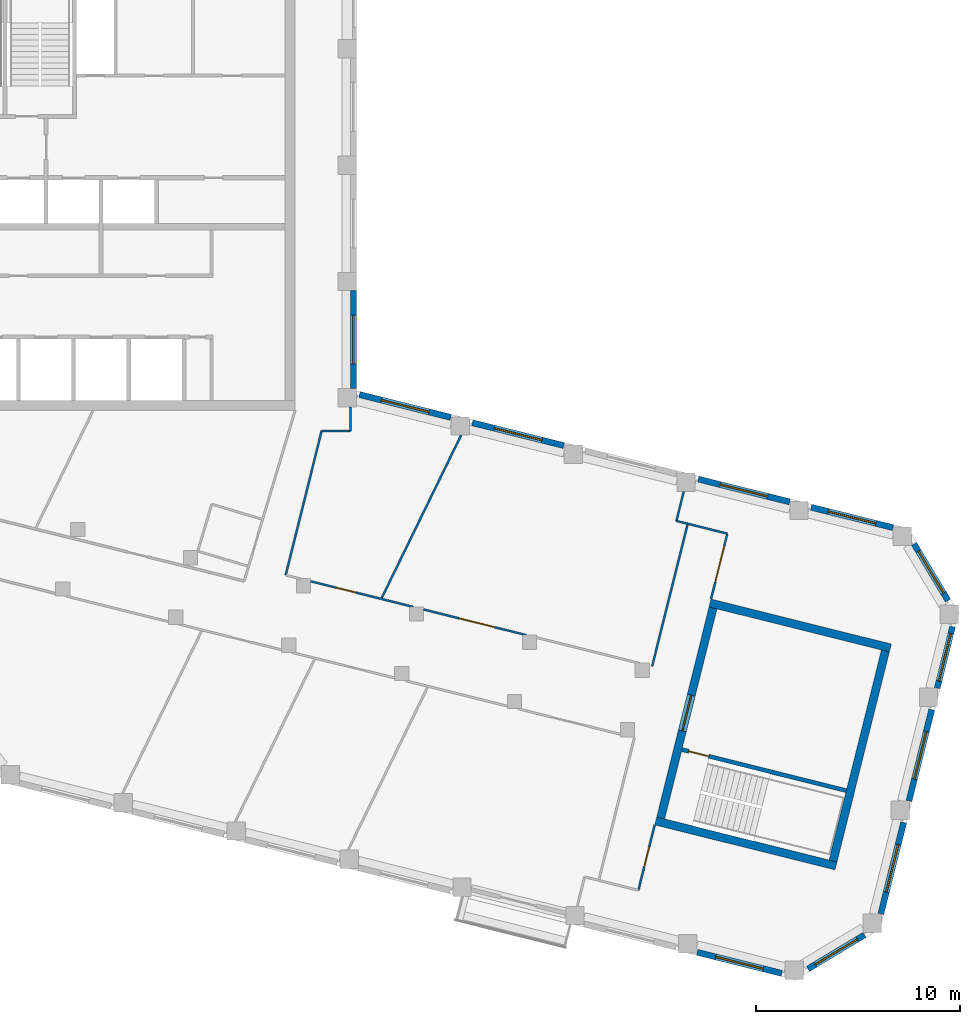
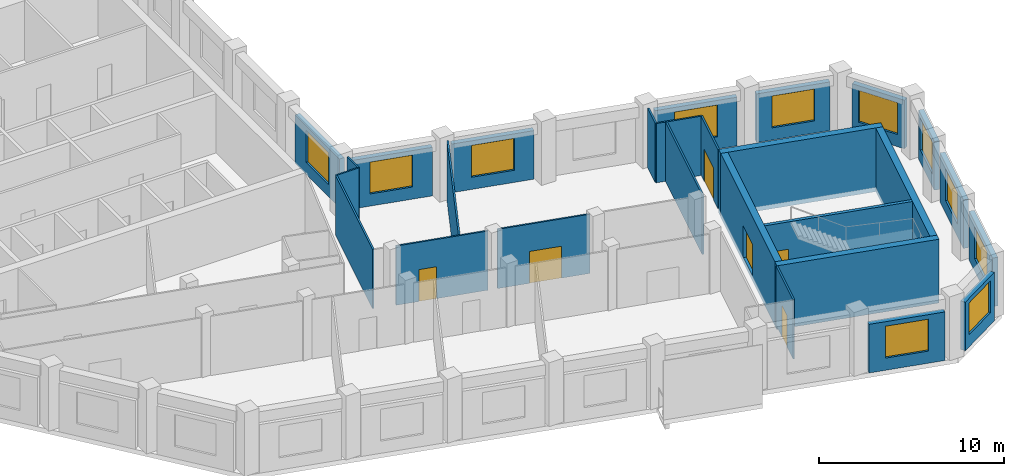
# One storey, part 4 of 8: 28 walls, 11 windows, 6 doors, 17 openings.
"""IFC4 building model written with IfcOpenShell, lengths in metres."""

from ifc_helpers import new_model, si_unit, direction, frame, frame_2d, origin, place, context, subcontext, project, spatial, rectangle, extrude, material, layer, layer_set, type_object, element, fill, save


model = new_model("IFC4")

# Units and contexts
model_context = context("Model", 3, precision=1e-05, world=origin(), true_north=direction((0.0, 1.0)))
body_context = subcontext(model_context, "Body", "Model", "MODEL_VIEW")
ifc_project = project(units=[si_unit("LENGTHUNIT", "METRE"), si_unit("AREAUNIT", "SQUARE_METRE"), si_unit("VOLUMEUNIT", "CUBIC_METRE"), si_unit("PLANEANGLEUNIT", "RADIAN"), si_unit("MASSUNIT", "GRAM", prefix="KILO")], contexts=[model_context])

# Site, building, storey
site_placement = place(None, origin())
site = spatial("IfcSite", under=ifc_project, at=site_placement, CompositionType="ELEMENT")
building_placement = place(site_placement, origin())
building = spatial("IfcBuilding", under=site, at=building_placement, Name="Meshkara Civic Tower", CompositionType="ELEMENT")
storey_placement = place(building_placement, frame((0.0, 0.0, 375.0)))
storey = spatial("IfcBuildingStorey", under=building, at=storey_placement, Name="L86", CompositionType="ELEMENT", Elevation=375.0)

# Wall
ifc_material_1 = material(Name="Corridor wall 100")
ifc_layer_1 = layer(ifc_material_1, 0.10009765625)
ifc_layer_set_1 = layer_set([ifc_layer_1], Name="Corridor wall 100")
wall_type_1 = type_object("IfcWallType", Name="Corridor wall 100", PredefinedType="PARTITIONING", material=ifc_layer_set_1)
wall_1_placement = place(storey_placement, frame((30.3359375, 6.0400390625, 0.0), z_axis=(0.0, 0.0, 1.0), x_axis=(0.2420145387, 0.970272623059, 0.0)))
element("IfcWall", 1, at=wall_1_placement, inside=storey, type_object=wall_type_1, Name="L86-W021", PredefinedType="PARTITIONING", context=body_context, shape_type="SweptSolid", body=[
    extrude(rectangle(XDim=7.2763671875, YDim=0.10009765625, at=frame_2d((3.63818359375, 0.0))), origin(), (0.0, 0.0, 1.0), 3.89990234375),
])

# Wall, opening, door
wall_2_placement = place(storey_placement, frame((31.56103515625, 5.735107421875, 0.0), z_axis=(0.0, 0.0, 1.0), x_axis=(0.970267382462, -0.242035548071, 0.0)))
wall_2 = element("IfcWall", 2, at=wall_2_placement, inside=storey, type_object=wall_type_1, Name="L86-W025", PredefinedType="PARTITIONING", context=body_context, shape_type="SweptSolid", body=[
    extrude(rectangle(XDim=5.169677734375, YDim=0.10009765625, at=frame_2d((2.5849609375, 0.0))), origin(), (0.0, 0.0, 1.0), 3.89990234375),
])
opening_1_placement = place(wall_2_placement, frame((1.280029296875, 0.0, 0.0)))
opening_1 = element("IfcOpeningElement", 3, at=opening_1_placement, cuts=wall_2, Name="Opening L86-D004", PredefinedType="OPENING", context=body_context, shape_type="SweptSolid", body=[
    extrude(rectangle(XDim=1.0, YDim=2.10009765625, at=frame_2d((0.5, 1.050048828125))), frame((0.0, 0.06005859375, 0.0), z_axis=(0.0, -1.0, 0.0), x_axis=(1.0, 0.0, 0.0)), (0.0, 0.0, 1.0), 0.1201171875),
])
ifc_material_2 = material(Name="Door 1000 x 2100")
door_type_1 = type_object("IfcDoorType", Name="Door 1000 x 2100", OperationType="SINGLE_SWING_LEFT", PredefinedType="DOOR", material=ifc_material_2)
door_1_placement = place(opening_1_placement, origin())
door_1 = element("IfcDoor", 4, at=door_1_placement, inside=storey, type_object=door_type_1, Name="L86-D004", OperationType="SINGLE_SWING_LEFT", OverallHeight=2.10009765625, OverallWidth=1.0, PredefinedType="DOOR", context=body_context, shape_type="SweptSolid", body=[
    extrude(rectangle(XDim=1.0, YDim=2.10009765625, at=frame_2d((0.5, 1.050048828125))), frame((0.0, 0.02490234375, 0.0), z_axis=(0.0, -1.0, 0.0), x_axis=(1.0, 0.0, 0.0)), (0.0, 0.0, 1.0), 0.050048828125),
])
fill(opening_1, door_1)

# Walls
wall_3_placement = place(storey_placement, frame((32.096923828125, 13.10009765625, 0.0), z_axis=(0.0, 0.0, 1.0), x_axis=(1.0, 0.0, 0.0)))
element("IfcWall", 5, at=wall_3_placement, inside=storey, type_object=wall_type_1, Name="L86-W026", PredefinedType="PARTITIONING", context=body_context, shape_type="SweptSolid", body=[
    extrude(rectangle(XDim=1.403076171875, YDim=0.10009765625, at=frame_2d((0.70166015625, 0.0))), origin(), (0.0, 0.0, 1.0), 3.89990234375),
])
wall_4_placement = place(storey_placement, frame((33.5, 13.10009765625, 0.0), z_axis=(0.0, 0.0, 1.0), x_axis=(0.0, 1.0, 0.0)))
element("IfcWall", 6, at=wall_4_placement, inside=storey, type_object=wall_type_1, Name="L86-W027", PredefinedType="PARTITIONING", context=body_context, shape_type="SweptSolid", body=[
    extrude(rectangle(XDim=1.1689453125, YDim=0.10009765625, at=frame_2d((0.58447265625, 0.0))), origin(), (0.0, 0.0, 1.0), 3.89990234375),
])

# Wall, opening, door
wall_5_placement = place(storey_placement, frame((42.10888671875, 3.10498046875, 0.0), z_axis=(0.0, 0.0, 1.0), x_axis=(-0.970289531541, 0.241946739969, 0.0)))
wall_5 = element("IfcWall", 7, at=wall_5_placement, inside=storey, type_object=wall_type_1, Name="L86-W030", PredefinedType="PARTITIONING", context=body_context, shape_type="SweptSolid", body=[
    extrude(rectangle(XDim=5.17041015625, YDim=0.10009765625, at=frame_2d((2.585205078125, 0.0))), origin(), (0.0, 0.0, 1.0), 3.89990234375),
])
opening_2_placement = place(wall_5_placement, frame((1.580078125, 0.0, 0.0)))
opening_2 = element("IfcOpeningElement", 8, at=opening_2_placement, cuts=wall_5, Name="Opening L86-D006", PredefinedType="OPENING", context=body_context, shape_type="SweptSolid", body=[
    extrude(rectangle(XDim=1.800048828125, YDim=2.10009765625, at=frame_2d((0.89990234375, 1.050048828125))), frame((0.0, 0.06005859375, 0.0), z_axis=(0.0, -1.0, 0.0), x_axis=(1.0, 0.0, 0.0)), (0.0, 0.0, 1.0), 0.1201171875),
])
ifc_material_3 = material(Name="Door pair 1800 x 2100")
door_type_2 = type_object("IfcDoorType", Name="Door pair 1800 x 2100", OperationType="SINGLE_SWING_LEFT", PredefinedType="DOOR", material=ifc_material_3)
door_2_placement = place(opening_2_placement, origin())
door_2 = element("IfcDoor", 9, at=door_2_placement, inside=storey, type_object=door_type_2, Name="L86-D006", OperationType="DOUBLE_DOOR_SINGLE_SWING", OverallHeight=2.10009765625, OverallWidth=1.800048828125, PredefinedType="DOOR", context=body_context, shape_type="SweptSolid", body=[
    extrude(rectangle(XDim=1.800048828125, YDim=2.10009765625, at=frame_2d((0.89990234375, 1.050048828125))), frame((0.0, 0.02490234375, 0.0), z_axis=(0.0, -1.0, 0.0), x_axis=(1.0, 0.0, 0.0)), (0.0, 0.0, 1.0), 0.050048828125),
])
fill(opening_2, door_2)

wall_6_placement = place(storey_placement, frame((47.611083984375, -9.39697265625, 0.0), z_axis=(0.0, 0.0, 1.0), x_axis=(0.241786986316, 0.970329352977, 0.0)))
wall_6 = element("IfcWall", 10, at=wall_6_placement, inside=storey, type_object=wall_type_1, Name="L86-W033", PredefinedType="PARTITIONING", context=body_context, shape_type="SweptSolid", body=[
    extrude(rectangle(XDim=3.2998046875, YDim=0.10009765625, at=frame_2d((1.64990234375, 0.0))), origin(), (0.0, 0.0, 1.0), 3.89990234375),
])
opening_3_placement = place(wall_6_placement, frame((1.179931640625, 0.0, 0.0)))
opening_3 = element("IfcOpeningElement", 11, at=opening_3_placement, cuts=wall_6, Name="Opening L86-D001", PredefinedType="OPENING", context=body_context, shape_type="SweptSolid", body=[
    extrude(rectangle(XDim=1.0, YDim=2.10009765625, at=frame_2d((0.5, 1.050048828125))), frame((0.0, 0.06005859375, 0.0), z_axis=(0.0, -1.0, 0.0), x_axis=(1.0, 0.0, 0.0)), (0.0, 0.0, 1.0), 0.1201171875),
])
door_3_placement = place(opening_3_placement, origin())
door_3 = element("IfcDoor", 12, at=door_3_placement, inside=storey, type_object=door_type_1, Name="L86-D001", OperationType="SINGLE_SWING_LEFT", OverallHeight=2.10009765625, OverallWidth=1.0, PredefinedType="DOOR", context=body_context, shape_type="SweptSolid", body=[
    extrude(rectangle(XDim=1.0, YDim=2.10009765625, at=frame_2d((0.5, 1.050048828125))), frame((0.0, 0.02490234375, 0.0), z_axis=(0.0, -1.0, 0.0), x_axis=(1.0, 0.0, 0.0)), (0.0, 0.0, 1.0), 0.050048828125),
])
fill(opening_3, door_3)

# Wall
wall_7_placement = place(storey_placement, frame((50.02490234375, 8.552001953125, 0.0), z_axis=(0.0, 0.0, 1.0), x_axis=(-0.241937193493, -0.970291911955, 0.0)))
element("IfcWall", 13, at=wall_7_placement, inside=storey, type_object=wall_type_1, Name="L86-W035", PredefinedType="PARTITIONING", context=body_context, shape_type="SweptSolid", body=[
    extrude(rectangle(XDim=7.199951171875, YDim=0.10009765625, at=frame_2d((3.60009765625, 0.0))), origin(), (0.0, 0.0, 1.0), 3.89990234375),
])

# Wall, opening, door
wall_8_placement = place(storey_placement, frame((51.1669921875, 4.865966796875, 0.0), z_axis=(0.0, 0.0, 1.0), x_axis=(0.241839284064, 0.97031631991, 0.0)))
wall_8 = element("IfcWall", 14, at=wall_8_placement, inside=storey, type_object=wall_type_1, Name="L86-W036", PredefinedType="PARTITIONING", context=body_context, shape_type="SweptSolid", body=[
    extrude(rectangle(XDim=3.300048828125, YDim=0.10009765625, at=frame_2d((1.64990234375, 0.0))), origin(), (0.0, 0.0, 1.0), 3.89990234375),
])
opening_4_placement = place(wall_8_placement, frame((0.8798828125, 0.0, 0.0)))
opening_4 = element("IfcOpeningElement", 15, at=opening_4_placement, cuts=wall_8, Name="Opening L86-D011", PredefinedType="OPENING", context=body_context, shape_type="SweptSolid", body=[
    extrude(rectangle(XDim=1.800048828125, YDim=2.10009765625, at=frame_2d((0.89990234375, 1.050048828125))), frame((0.0, 0.06005859375, 0.0), z_axis=(0.0, -1.0, 0.0), x_axis=(1.0, 0.0, 0.0)), (0.0, 0.0, 1.0), 0.1201171875),
])
door_4_placement = place(opening_4_placement, origin())
door_4 = element("IfcDoor", 16, at=door_4_placement, inside=storey, type_object=door_type_2, Name="L86-D011", OperationType="DOUBLE_DOOR_SINGLE_SWING", OverallHeight=2.10009765625, OverallWidth=1.800048828125, PredefinedType="DOOR", context=body_context, shape_type="SweptSolid", body=[
    extrude(rectangle(XDim=1.800048828125, YDim=2.10009765625, at=frame_2d((0.89990234375, 1.050048828125))), frame((0.0, 0.02490234375, 0.0), z_axis=(0.0, -1.0, 0.0), x_axis=(1.0, 0.0, 0.0)), (0.0, 0.0, 1.0), 0.050048828125),
])
fill(opening_4, door_4)

# Wall
wall_9_placement = place(storey_placement, frame((51.965087890625, 8.068115234375, 0.0), z_axis=(0.0, 0.0, 1.0), x_axis=(-0.970278804284, 0.241989755894, 0.0)))
element("IfcWall", 17, at=wall_9_placement, inside=storey, type_object=wall_type_1, Name="L86-W037", PredefinedType="PARTITIONING", context=body_context, shape_type="SweptSolid", body=[
    extrude(rectangle(XDim=1.99951171875, YDim=0.10009765625, at=frame_2d((0.999755859375, 0.0))), origin(), (0.0, 0.0, 1.0), 3.89990234375),
])

# Wall, opening, window
ifc_material_4 = material(Name="Insulated infill panel with bronze anodised aluminium cladding", Category="aluminium")
ifc_layer_2 = layer(ifc_material_4, 0.300048828125)
ifc_layer_set_2 = layer_set([ifc_layer_2], Name="EXTERNAL INFILL WALL 300")
wall_type_2 = type_object("IfcWallType", Name="EXTERNAL INFILL WALL 300", PredefinedType="SOLIDWALL", material=ifc_layer_set_2)
wall_10_placement = place(storey_placement, frame((60.075927734375, 8.364990234375, 0.0), z_axis=(0.0, 0.0, 1.0), x_axis=(-0.970323340708, 0.24181111322, 0.0)))
wall_10 = element("IfcWall", 18, at=wall_10_placement, inside=storey, type_object=wall_type_2, Name="External wall", PredefinedType="SOLIDWALL", context=body_context, shape_type="SweptSolid", body=[
    extrude(rectangle(XDim=4.123291015625, YDim=0.300048828125, at=frame_2d((2.0615234375, 0.0))), origin(), (0.0, 0.0, 1.0), 3.199951171875),
])
opening_5_placement = place(wall_10_placement, frame((0.862060546875, 0.0, 0.800048828125)))
opening_5 = element("IfcOpeningElement", 19, at=opening_5_placement, cuts=wall_10, Name="Opening W7", PredefinedType="OPENING", context=body_context, shape_type="SweptSolid", body=[
    extrude(rectangle(XDim=2.39990234375, YDim=2.10009765625, at=frame_2d((1.199951171875, 1.050048828125))), frame((0.0, 0.159912109375, 0.0), z_axis=(0.0, -1.0, 0.0), x_axis=(1.0, 0.0, 0.0)), (0.0, 0.0, 1.0), 0.320068359375),
])
ifc_material_5 = material(Name="Tinted double glazing", Category="glass")
window_type = type_object("IfcWindowType", Name="WINDOW 2400x2100", PartitioningType="DOUBLE_PANEL_VERTICAL", PredefinedType="WINDOW", material=ifc_material_5)
window_1_placement = place(opening_5_placement, origin())
window_1 = element("IfcWindow", 20, at=window_1_placement, inside=storey, type_object=window_type, Name="Window", OverallHeight=2.10009765625, OverallWidth=2.39990234375, PartitioningType="DOUBLE_PANEL_VERTICAL", PredefinedType="WINDOW", context=body_context, shape_type="SweptSolid", body=[
    extrude(rectangle(XDim=2.39990234375, YDim=2.10009765625, at=frame_2d((1.199951171875, 1.050048828125))), frame((0.0, 0.030029296875, 0.0), z_axis=(0.0, -1.0, 0.0), x_axis=(1.0, 0.0, 0.0)), (0.0, 0.0, 1.0), 0.06005859375),
])
fill(opening_5, window_1)

wall_11_placement = place(storey_placement, frame((55.01611328125, 9.6259765625, 0.0), z_axis=(0.0, 0.0, 1.0), x_axis=(-0.970298093093, 0.241912402618, 0.0)))
wall_11 = element("IfcWall", 21, at=wall_11_placement, inside=storey, type_object=wall_type_2, Name="External wall", PredefinedType="SOLIDWALL", context=body_context, shape_type="SweptSolid", body=[
    extrude(rectangle(XDim=4.609130859375, YDim=0.300048828125, at=frame_2d((2.3046875, 0.0))), origin(), (0.0, 0.0, 1.0), 3.199951171875),
])
opening_6_placement = place(wall_11_placement, frame((1.10498046875, 0.0, 0.800048828125)))
opening_6 = element("IfcOpeningElement", 22, at=opening_6_placement, cuts=wall_11, Name="Opening W7", PredefinedType="OPENING", context=body_context, shape_type="SweptSolid", body=[
    extrude(rectangle(XDim=2.39990234375, YDim=2.10009765625, at=frame_2d((1.199951171875, 1.050048828125))), frame((0.0, 0.159912109375, 0.0), z_axis=(0.0, -1.0, 0.0), x_axis=(1.0, 0.0, 0.0)), (0.0, 0.0, 1.0), 0.320068359375),
])
window_2_placement = place(opening_6_placement, origin())
window_2 = element("IfcWindow", 23, at=window_2_placement, inside=storey, type_object=window_type, Name="Window", OverallHeight=2.10009765625, OverallWidth=2.39990234375, PartitioningType="DOUBLE_PANEL_VERTICAL", PredefinedType="WINDOW", context=body_context, shape_type="SweptSolid", body=[
    extrude(rectangle(XDim=2.39990234375, YDim=2.10009765625, at=frame_2d((1.199951171875, 1.050048828125))), frame((0.0, 0.030029296875, 0.0), z_axis=(0.0, -1.0, 0.0), x_axis=(1.0, 0.0, 0.0)), (0.0, 0.0, 1.0), 0.06005859375),
])
fill(opening_6, window_2)

wall_12_placement = place(storey_placement, frame((43.9541015625, 12.384033203125, 0.0), z_axis=(0.0, 0.0, 1.0), x_axis=(-0.970285689791, 0.241962146187, 0.0)))
wall_12 = element("IfcWall", 24, at=wall_12_placement, inside=storey, type_object=wall_type_2, Name="External wall", PredefinedType="SOLIDWALL", context=body_context, shape_type="SweptSolid", body=[
    extrude(rectangle(XDim=4.608154296875, YDim=0.300048828125, at=frame_2d((2.30419921875, 0.0))), origin(), (0.0, 0.0, 1.0), 3.199951171875),
])
opening_7_placement = place(wall_12_placement, frame((1.10400390625, 0.0, 0.800048828125)))
opening_7 = element("IfcOpeningElement", 25, at=opening_7_placement, cuts=wall_12, Name="Opening W7", PredefinedType="OPENING", context=body_context, shape_type="SweptSolid", body=[
    extrude(rectangle(XDim=2.39990234375, YDim=2.10009765625, at=frame_2d((1.199951171875, 1.050048828125))), frame((0.0, 0.159912109375, 0.0), z_axis=(0.0, -1.0, 0.0), x_axis=(1.0, 0.0, 0.0)), (0.0, 0.0, 1.0), 0.320068359375),
])
window_3_placement = place(opening_7_placement, origin())
window_3 = element("IfcWindow", 26, at=window_3_placement, inside=storey, type_object=window_type, Name="Window", OverallHeight=2.10009765625, OverallWidth=2.39990234375, PartitioningType="DOUBLE_PANEL_VERTICAL", PredefinedType="WINDOW", context=body_context, shape_type="SweptSolid", body=[
    extrude(rectangle(XDim=2.39990234375, YDim=2.10009765625, at=frame_2d((1.199951171875, 1.050048828125))), frame((0.0, 0.030029296875, 0.0), z_axis=(0.0, -1.0, 0.0), x_axis=(1.0, 0.0, 0.0)), (0.0, 0.0, 1.0), 0.06005859375),
])
fill(opening_7, window_3)

wall_13_placement = place(storey_placement, frame((38.424072265625, 13.762939453125, 0.0), z_axis=(0.0, 0.0, 1.0), x_axis=(-0.970248341479, 0.24211186641, 0.0)))
wall_13 = element("IfcWall", 27, at=wall_13_placement, inside=storey, type_object=wall_type_2, Name="External wall", PredefinedType="SOLIDWALL", context=body_context, shape_type="SweptSolid", body=[
    extrude(rectangle(XDim=4.609375, YDim=0.300048828125, at=frame_2d((2.3046875, 0.0))), origin(), (0.0, 0.0, 1.0), 3.199951171875),
])
opening_8_placement = place(wall_13_placement, frame((1.10498046875, 0.0, 0.800048828125)))
opening_8 = element("IfcOpeningElement", 28, at=opening_8_placement, cuts=wall_13, Name="Opening W7", PredefinedType="OPENING", context=body_context, shape_type="SweptSolid", body=[
    extrude(rectangle(XDim=2.39990234375, YDim=2.10009765625, at=frame_2d((1.199951171875, 1.050048828125))), frame((0.0, 0.159912109375, 0.0), z_axis=(0.0, -1.0, 0.0), x_axis=(1.0, 0.0, 0.0)), (0.0, 0.0, 1.0), 0.320068359375),
])
window_4_placement = place(opening_8_placement, origin())
window_4 = element("IfcWindow", 29, at=window_4_placement, inside=storey, type_object=window_type, Name="Window", OverallHeight=2.10009765625, OverallWidth=2.39990234375, PartitioningType="DOUBLE_PANEL_VERTICAL", PredefinedType="WINDOW", context=body_context, shape_type="SweptSolid", body=[
    extrude(rectangle(XDim=2.39990234375, YDim=2.10009765625, at=frame_2d((1.199951171875, 1.050048828125))), frame((0.0, 0.030029296875, 0.0), z_axis=(0.0, -1.0, 0.0), x_axis=(1.0, 0.0, 0.0)), (0.0, 0.0, 1.0), 0.06005859375),
])
fill(opening_8, window_4)

wall_14_placement = place(storey_placement, frame((33.64990234375, 15.1689453125, 0.0), z_axis=(0.0, 0.0, 1.0), x_axis=(0.0, 1.0, 0.0)))
wall_14 = element("IfcWall", 30, at=wall_14_placement, inside=storey, type_object=wall_type_2, Name="External wall", PredefinedType="SOLIDWALL", context=body_context, shape_type="SweptSolid", body=[
    extrude(rectangle(XDim=4.800048828125, YDim=0.300048828125, at=frame_2d((2.39990234375, 0.0))), origin(), (0.0, 0.0, 1.0), 3.199951171875),
])
opening_9_placement = place(wall_14_placement, frame((1.199951171875, 0.0, 0.800048828125)))
opening_9 = element("IfcOpeningElement", 31, at=opening_9_placement, cuts=wall_14, Name="Opening W7", PredefinedType="OPENING", context=body_context, shape_type="SweptSolid", body=[
    extrude(rectangle(XDim=2.39990234375, YDim=2.10009765625, at=frame_2d((1.199951171875, 1.050048828125))), frame((0.0, 0.159912109375, 0.0), z_axis=(0.0, -1.0, 0.0), x_axis=(1.0, 0.0, 0.0)), (0.0, 0.0, 1.0), 0.320068359375),
])
window_5_placement = place(opening_9_placement, origin())
window_5 = element("IfcWindow", 32, at=window_5_placement, inside=storey, type_object=window_type, Name="Window", OverallHeight=2.10009765625, OverallWidth=2.39990234375, PartitioningType="DOUBLE_PANEL_VERTICAL", PredefinedType="WINDOW", context=body_context, shape_type="SweptSolid", body=[
    extrude(rectangle(XDim=2.39990234375, YDim=2.10009765625, at=frame_2d((1.199951171875, 1.050048828125))), frame((0.0, 0.030029296875, 0.0), z_axis=(0.0, -1.0, 0.0), x_axis=(1.0, 0.0, 0.0)), (0.0, 0.0, 1.0), 0.06005859375),
])
fill(opening_9, window_5)

wall_15_placement = place(storey_placement, frame((50.491943359375, -12.43505859375, 0.0), z_axis=(0.0, 0.0, 1.0), x_axis=(0.970323940244, -0.241808707429, 0.0)))
wall_15 = element("IfcWall", 33, at=wall_15_placement, inside=storey, type_object=wall_type_2, Name="External wall", PredefinedType="SOLIDWALL", context=body_context, shape_type="SweptSolid", body=[
    extrude(rectangle(XDim=4.267822265625, YDim=0.300048828125, at=frame_2d((2.1337890625, 0.0))), origin(), (0.0, 0.0, 1.0), 3.199951171875),
])
opening_10_placement = place(wall_15_placement, frame((0.93408203125, 0.0, 0.800048828125)))
opening_10 = element("IfcOpeningElement", 34, at=opening_10_placement, cuts=wall_15, Name="Opening W7", PredefinedType="OPENING", context=body_context, shape_type="SweptSolid", body=[
    extrude(rectangle(XDim=2.39990234375, YDim=2.10009765625, at=frame_2d((1.199951171875, 1.050048828125))), frame((0.0, 0.159912109375, 0.0), z_axis=(0.0, -1.0, 0.0), x_axis=(1.0, 0.0, 0.0)), (0.0, 0.0, 1.0), 0.320068359375),
])
window_6_placement = place(opening_10_placement, origin())
window_6 = element("IfcWindow", 35, at=window_6_placement, inside=storey, type_object=window_type, Name="Window", OverallHeight=2.10009765625, OverallWidth=2.39990234375, PartitioningType="DOUBLE_PANEL_VERTICAL", PredefinedType="WINDOW", context=body_context, shape_type="SweptSolid", body=[
    extrude(rectangle(XDim=2.39990234375, YDim=2.10009765625, at=frame_2d((1.199951171875, 1.050048828125))), frame((0.0, 0.030029296875, 0.0), z_axis=(0.0, -1.0, 0.0), x_axis=(1.0, 0.0, 0.0)), (0.0, 0.0, 1.0), 0.06005859375),
])
fill(opening_10, window_6)

wall_16_placement = place(storey_placement, frame((55.9189453125, -13.2470703125, 0.0), z_axis=(0.0, 0.0, 1.0), x_axis=(0.857239224167, 0.514918355226, 0.0)))
wall_16 = element("IfcWall", 36, at=wall_16_placement, inside=storey, type_object=wall_type_2, Name="External wall", PredefinedType="SOLIDWALL", context=body_context, shape_type="SweptSolid", body=[
    extrude(rectangle(XDim=3.22802734375, YDim=0.300048828125, at=frame_2d((1.614013671875, 0.0))), origin(), (0.0, 0.0, 1.0), 3.199951171875),
])
opening_11_placement = place(wall_16_placement, frame((0.4140625, 0.0, 0.800048828125)))
opening_11 = element("IfcOpeningElement", 37, at=opening_11_placement, cuts=wall_16, Name="Opening W7", PredefinedType="OPENING", context=body_context, shape_type="SweptSolid", body=[
    extrude(rectangle(XDim=2.39990234375, YDim=2.10009765625, at=frame_2d((1.199951171875, 1.050048828125))), frame((0.0, 0.159912109375, 0.0), z_axis=(0.0, -1.0, 0.0), x_axis=(1.0, 0.0, 0.0)), (0.0, 0.0, 1.0), 0.320068359375),
])
window_7_placement = place(opening_11_placement, origin())
window_7 = element("IfcWindow", 38, at=window_7_placement, inside=storey, type_object=window_type, Name="Window", OverallHeight=2.10009765625, OverallWidth=2.39990234375, PartitioningType="DOUBLE_PANEL_VERTICAL", PredefinedType="WINDOW", context=body_context, shape_type="SweptSolid", body=[
    extrude(rectangle(XDim=2.39990234375, YDim=2.10009765625, at=frame_2d((1.199951171875, 1.050048828125))), frame((0.0, 0.030029296875, 0.0), z_axis=(0.0, -1.0, 0.0), x_axis=(1.0, 0.0, 0.0)), (0.0, 0.0, 1.0), 0.06005859375),
])
fill(opening_11, window_7)

wall_17_placement = place(storey_placement, frame((59.485107421875, -10.552001953125, 0.0), z_axis=(0.0, 0.0, 1.0), x_axis=(0.241924836652, 0.970294992984, 0.0)))
wall_17 = element("IfcWall", 39, at=wall_17_placement, inside=storey, type_object=wall_type_2, Name="External wall", PredefinedType="SOLIDWALL", context=body_context, shape_type="SweptSolid", body=[
    extrude(rectangle(XDim=4.60888671875, YDim=0.300048828125, at=frame_2d((2.304443359375, 0.0))), origin(), (0.0, 0.0, 1.0), 3.199951171875),
])
opening_12_placement = place(wall_17_placement, frame((1.10498046875, 0.0, 0.800048828125)))
opening_12 = element("IfcOpeningElement", 40, at=opening_12_placement, cuts=wall_17, Name="Opening W7", PredefinedType="OPENING", context=body_context, shape_type="SweptSolid", body=[
    extrude(rectangle(XDim=2.39990234375, YDim=2.10009765625, at=frame_2d((1.199951171875, 1.050048828125))), frame((0.0, 0.159912109375, 0.0), z_axis=(0.0, -1.0, 0.0), x_axis=(1.0, 0.0, 0.0)), (0.0, 0.0, 1.0), 0.320068359375),
])
window_8_placement = place(opening_12_placement, origin())
window_8 = element("IfcWindow", 41, at=window_8_placement, inside=storey, type_object=window_type, Name="Window", OverallHeight=2.10009765625, OverallWidth=2.39990234375, PartitioningType="DOUBLE_PANEL_VERTICAL", PredefinedType="WINDOW", context=body_context, shape_type="SweptSolid", body=[
    extrude(rectangle(XDim=2.39990234375, YDim=2.10009765625, at=frame_2d((1.199951171875, 1.050048828125))), frame((0.0, 0.030029296875, 0.0), z_axis=(0.0, -1.0, 0.0), x_axis=(1.0, 0.0, 0.0)), (0.0, 0.0, 1.0), 0.06005859375),
])
fill(opening_12, window_8)

wall_18_placement = place(storey_placement, frame((60.864013671875, -5.02099609375, 0.0), z_axis=(0.0, 0.0, 1.0), x_axis=(0.241775045801, 0.97033232824, 0.0)))
wall_18 = element("IfcWall", 42, at=wall_18_placement, inside=storey, type_object=wall_type_2, Name="External wall", PredefinedType="SOLIDWALL", context=body_context, shape_type="SweptSolid", body=[
    extrude(rectangle(XDim=4.607666015625, YDim=0.300048828125, at=frame_2d((2.3037109375, 0.0))), origin(), (0.0, 0.0, 1.0), 3.199951171875),
])
opening_13_placement = place(wall_18_placement, frame((1.10400390625, 0.0, 0.800048828125)))
opening_13 = element("IfcOpeningElement", 43, at=opening_13_placement, cuts=wall_18, Name="Opening W7", PredefinedType="OPENING", context=body_context, shape_type="SweptSolid", body=[
    extrude(rectangle(XDim=2.39990234375, YDim=2.10009765625, at=frame_2d((1.199951171875, 1.050048828125))), frame((0.0, 0.159912109375, 0.0), z_axis=(0.0, -1.0, 0.0), x_axis=(1.0, 0.0, 0.0)), (0.0, 0.0, 1.0), 0.320068359375),
])
window_9_placement = place(opening_13_placement, origin())
window_9 = element("IfcWindow", 44, at=window_9_placement, inside=storey, type_object=window_type, Name="Window", OverallHeight=2.10009765625, OverallWidth=2.39990234375, PartitioningType="DOUBLE_PANEL_VERTICAL", PredefinedType="WINDOW", context=body_context, shape_type="SweptSolid", body=[
    extrude(rectangle(XDim=2.39990234375, YDim=2.10009765625, at=frame_2d((1.199951171875, 1.050048828125))), frame((0.0, 0.030029296875, 0.0), z_axis=(0.0, -1.0, 0.0), x_axis=(1.0, 0.0, 0.0)), (0.0, 0.0, 1.0), 0.06005859375),
])
fill(opening_13, window_9)

wall_19_placement = place(storey_placement, frame((62.241943359375, 0.509033203125, 0.0), z_axis=(0.0, 0.0, 1.0), x_axis=(0.241941811838, 0.970290760383, 0.0)))
wall_19 = element("IfcWall", 45, at=wall_19_placement, inside=storey, type_object=wall_type_2, Name="External wall", PredefinedType="SOLIDWALL", context=body_context, shape_type="SweptSolid", body=[
    extrude(rectangle(XDim=3.095947265625, YDim=0.300048828125, at=frame_2d((1.5478515625, 0.0))), origin(), (0.0, 0.0, 1.0), 3.199951171875),
])
opening_14_placement = place(wall_19_placement, frame((0.347900390625, 0.0, 0.800048828125)))
opening_14 = element("IfcOpeningElement", 46, at=opening_14_placement, cuts=wall_19, Name="Opening W7", PredefinedType="OPENING", context=body_context, shape_type="SweptSolid", body=[
    extrude(rectangle(XDim=2.39990234375, YDim=2.10009765625, at=frame_2d((1.199951171875, 1.050048828125))), frame((0.0, 0.159912109375, 0.0), z_axis=(0.0, -1.0, 0.0), x_axis=(1.0, 0.0, 0.0)), (0.0, 0.0, 1.0), 0.320068359375),
])
window_10_placement = place(opening_14_placement, origin())
window_10 = element("IfcWindow", 47, at=window_10_placement, inside=storey, type_object=window_type, Name="Window", OverallHeight=2.10009765625, OverallWidth=2.39990234375, PartitioningType="DOUBLE_PANEL_VERTICAL", PredefinedType="WINDOW", context=body_context, shape_type="SweptSolid", body=[
    extrude(rectangle(XDim=2.39990234375, YDim=2.10009765625, at=frame_2d((1.199951171875, 1.050048828125))), frame((0.0, 0.030029296875, 0.0), z_axis=(0.0, -1.0, 0.0), x_axis=(1.0, 0.0, 0.0)), (0.0, 0.0, 1.0), 0.06005859375),
])
fill(opening_14, window_10)

wall_20_placement = place(storey_placement, frame((62.77099609375, 4.799072265625, 0.0), z_axis=(0.0, 0.0, 1.0), x_axis=(-0.514951742604, 0.857219168468, 0.0)))
wall_20 = element("IfcWall", 48, at=wall_20_placement, inside=storey, type_object=wall_type_2, Name="External wall", PredefinedType="SOLIDWALL", context=body_context, shape_type="SweptSolid", body=[
    extrude(rectangle(XDim=3.227783203125, YDim=0.300048828125, at=frame_2d((1.61376953125, 0.0))), origin(), (0.0, 0.0, 1.0), 3.199951171875),
])
opening_15_placement = place(wall_20_placement, frame((0.4140625, 0.0, 0.800048828125)))
opening_15 = element("IfcOpeningElement", 49, at=opening_15_placement, cuts=wall_20, Name="Opening W7", PredefinedType="OPENING", context=body_context, shape_type="SweptSolid", body=[
    extrude(rectangle(XDim=2.39990234375, YDim=2.10009765625, at=frame_2d((1.199951171875, 1.050048828125))), frame((0.0, 0.159912109375, 0.0), z_axis=(0.0, -1.0, 0.0), x_axis=(1.0, 0.0, 0.0)), (0.0, 0.0, 1.0), 0.320068359375),
])
window_11_placement = place(opening_15_placement, origin())
window_11 = element("IfcWindow", 50, at=window_11_placement, inside=storey, type_object=window_type, Name="Window", OverallHeight=2.10009765625, OverallWidth=2.39990234375, PartitioningType="DOUBLE_PANEL_VERTICAL", PredefinedType="WINDOW", context=body_context, shape_type="SweptSolid", body=[
    extrude(rectangle(XDim=2.39990234375, YDim=2.10009765625, at=frame_2d((1.199951171875, 1.050048828125))), frame((0.0, 0.030029296875, 0.0), z_axis=(0.0, -1.0, 0.0), x_axis=(1.0, 0.0, 0.0)), (0.0, 0.0, 1.0), 0.06005859375),
])
fill(opening_15, window_11)

# Walls
ifc_material_6 = material(Name="Concrete C50", Category="concrete")
ifc_layer_3 = layer(ifc_material_6, 0.39990234375)
ifc_layer_set_3 = layer_set([ifc_layer_3], Name="End core ring wall 400 C50")
wall_type_3 = type_object("IfcWallType", Name="End core ring wall 400 C50", PredefinedType="SHEAR", material=ifc_layer_set_3)
wall_21_placement = place(storey_placement, frame((48.4580078125, -6.0009765625, -0.300048828125), z_axis=(0.0, 0.0, 1.0), x_axis=(0.970281225948, -0.241980045814, 0.0)))
element("IfcWall", 51, at=wall_21_placement, inside=storey, type_object=wall_type_3, Name="L86-C032", PredefinedType="SHEAR", context=body_context, shape_type="SweptSolid", body=[
    extrude(rectangle(XDim=9.099609375, YDim=0.39990234375, at=frame_2d((4.5498046875, 0.0))), origin(), (0.0, 0.0, 1.0), 4.199951171875),
])
wall_22_placement = place(storey_placement, frame((51.118896484375, 4.672119140625, -0.300048828125), z_axis=(0.0, 0.0, 1.0), x_axis=(0.970300121521, -0.241904266553, 0.0)))
element("IfcWall", 52, at=wall_22_placement, inside=storey, type_object=wall_type_3, Name="L86-C033", PredefinedType="SHEAR", context=body_context, shape_type="SweptSolid", body=[
    extrude(rectangle(XDim=9.099365234375, YDim=0.39990234375, at=frame_2d((4.5498046875, 0.0))), origin(), (0.0, 0.0, 1.0), 4.199951171875),
])

# Wall, opening, door
wall_23_placement = place(storey_placement, frame((48.699951171875, -5.85595703125, -0.300048828125), z_axis=(0.0, 0.0, 1.0), x_axis=(0.241869030534, 0.970308905488, 0.0)))
wall_23 = element("IfcWall", 53, at=wall_23_placement, inside=storey, type_object=wall_type_3, Name="L86-C034", PredefinedType="SHEAR", context=body_context, shape_type="SweptSolid", body=[
    extrude(rectangle(XDim=10.6005859375, YDim=0.39990234375, at=frame_2d((5.30029296875, 0.0))), origin(), (0.0, 0.0, 1.0), 4.199951171875),
])
opening_16_placement = place(wall_23_placement, frame((4.39990234375, 0.0, 0.300048828125)))
opening_16 = element("IfcOpeningElement", 54, at=opening_16_placement, cuts=wall_23, Name="Opening L86-K202", PredefinedType="OPENING", context=body_context, shape_type="SweptSolid", body=[
    extrude(rectangle(XDim=1.800048828125, YDim=2.10009765625, at=frame_2d((0.89990234375, 1.050048828125))), frame((0.0, 0.2099609375, 0.0), z_axis=(0.0, -1.0, 0.0), x_axis=(1.0, 0.0, 0.0)), (0.0, 0.0, 1.0), 0.419921875),
])
ifc_material_7 = material(Name="Fire-rated door leaf in steel frame", Category="steel")
door_type_3 = type_object("IfcDoorType", Name="Core double door 1800 EI 60", OperationType="DOUBLE_DOOR_SINGLE_SWING", PredefinedType="DOOR", material=ifc_material_7)
door_5_placement = place(opening_16_placement, origin())
door_5 = element("IfcDoor", 55, at=door_5_placement, inside=storey, type_object=door_type_3, Name="L86-K202", OperationType="DOUBLE_DOOR_SINGLE_SWING", OverallHeight=2.10009765625, OverallWidth=1.800048828125, PredefinedType="DOOR", context=body_context, shape_type="SweptSolid", body=[
    extrude(rectangle(XDim=1.800048828125, YDim=2.10009765625, at=frame_2d((0.89990234375, 1.050048828125))), frame((0.0, 0.02490234375, 0.0), z_axis=(0.0, -1.0, 0.0), x_axis=(1.0, 0.0, 0.0)), (0.0, 0.0, 1.0), 0.050048828125),
])
fill(opening_16, door_5)

# Walls
wall_24_placement = place(storey_placement, frame((57.14208984375, -7.9599609375, -0.300048828125), z_axis=(0.0, 0.0, 1.0), x_axis=(0.241890652548, 0.970303515509, 0.0)))
element("IfcWall", 56, at=wall_24_placement, inside=storey, type_object=wall_type_3, Name="L86-C035", PredefinedType="SHEAR", context=body_context, shape_type="SweptSolid", body=[
    extrude(rectangle(XDim=10.599609375, YDim=0.39990234375, at=frame_2d((5.2998046875, 0.0))), origin(), (0.0, 0.0, 1.0), 4.199951171875),
])
ifc_material_8 = material(Name="Partition 100")
ifc_layer_4 = layer(ifc_material_8, 0.10009765625)
ifc_layer_set_4 = layer_set([ifc_layer_4], Name="Partition 100")
wall_type_4 = type_object("IfcWallType", Name="Partition 100", PredefinedType="PARTITIONING", material=ifc_layer_set_4)
wall_25_placement = place(storey_placement, frame((35.0439453125, 4.927978515625, 0.0), z_axis=(0.0, 0.0, 1.0), x_axis=(0.438439378179, 0.898760764421, 0.0)))
element("IfcWall", 57, at=wall_25_placement, inside=storey, type_object=wall_type_4, Name="L86-W051", PredefinedType="PARTITIONING", context=body_context, shape_type="SweptSolid", body=[
    extrude(rectangle(XDim=8.85888671875, YDim=0.10009765625, at=frame_2d((4.429443359375, 0.0))), origin(), (0.0, 0.0, 1.0), 3.89990234375),
])
wall_26_placement = place(storey_placement, frame((49.470947265625, 8.68994140625, 0.0), z_axis=(0.0, 0.0, 1.0), x_axis=(0.241646512959, 0.970364345375, 0.0)))
element("IfcWall", 58, at=wall_26_placement, inside=storey, type_object=wall_type_4, Name="L86-W054", PredefinedType="PARTITIONING", context=body_context, shape_type="SweptSolid", body=[
    extrude(rectangle(XDim=1.486083984375, YDim=0.10009765625, at=frame_2d((0.7431640625, 0.0))), origin(), (0.0, 0.0, 1.0), 3.89990234375),
])
wall_27_placement = place(storey_placement, frame((50.029052734375, 8.551025390625, 0.0), z_axis=(0.0, 0.0, 1.0), x_axis=(-0.970391687927, 0.241536688727, 0.0)))
element("IfcWall", 59, at=wall_27_placement, inside=storey, type_object=wall_type_4, Name="L86-W055", PredefinedType="PARTITIONING", context=body_context, shape_type="SweptSolid", body=[
    extrude(rectangle(XDim=0.5751953125, YDim=0.10009765625, at=frame_2d((0.28759765625, 0.0))), origin(), (0.0, 0.0, 1.0), 3.89990234375),
])

# Wall, opening, door
ifc_material_9 = material(Name="Concrete C40/50", Category="concrete")
ifc_layer_5 = layer(ifc_material_9, 0.199951171875)
ifc_layer_set_5 = layer_set([ifc_layer_5], Name="Stair enclosure wall 200 C40/50")
wall_type_5 = type_object("IfcWallType", Name="Stair enclosure wall 200 C40/50", PredefinedType="SOLIDWALL", material=ifc_layer_set_5)
wall_28_placement = place(storey_placement, frame((49.740966796875, -2.508056640625, 0.0), z_axis=(0.0, 0.0, 1.0), x_axis=(0.970289402158, -0.241947258837, 0.0)))
wall_28 = element("IfcWall", 60, at=wall_28_placement, inside=storey, type_object=wall_type_5, Name="L86-C036", PredefinedType="SOLIDWALL", context=body_context, shape_type="SweptSolid", body=[
    extrude(rectangle(XDim=8.299560546875, YDim=0.199951171875, at=frame_2d((4.14990234375, 0.0))), origin(), (0.0, 0.0, 1.0), 3.89990234375),
])
opening_17_placement = place(wall_28_placement, frame((0.35009765625, 0.0, 0.0)))
opening_17 = element("IfcOpeningElement", 61, at=opening_17_placement, cuts=wall_28, Name="Opening L86-K201", PredefinedType="OPENING", context=body_context, shape_type="SweptSolid", body=[
    extrude(rectangle(XDim=1.0, YDim=2.10009765625, at=frame_2d((0.5, 1.050048828125))), frame((0.0, 0.10986328125, 0.0), z_axis=(0.0, -1.0, 0.0), x_axis=(1.0, 0.0, 0.0)), (0.0, 0.0, 1.0), 0.219970703125),
])
ifc_material_10 = material(Name="Fire-rated door leaf in steel frame", Category="steel")
door_type_4 = type_object("IfcDoorType", Name="Stair door 1000 EI 120", OperationType="SINGLE_SWING_LEFT", PredefinedType="DOOR", material=ifc_material_10)
door_6_placement = place(opening_17_placement, origin())
door_6 = element("IfcDoor", 62, at=door_6_placement, inside=storey, type_object=door_type_4, Name="L86-K201", OperationType="SINGLE_SWING_LEFT", OverallHeight=2.10009765625, OverallWidth=1.0, PredefinedType="DOOR", context=body_context, shape_type="SweptSolid", body=[
    extrude(rectangle(XDim=1.0, YDim=2.10009765625, at=frame_2d((0.5, 1.050048828125))), frame((0.0, 0.02490234375, 0.0), z_axis=(0.0, -1.0, 0.0), x_axis=(1.0, 0.0, 0.0)), (0.0, 0.0, 1.0), 0.050048828125),
])
fill(opening_17, door_6)

save(model, "model.ifc")
